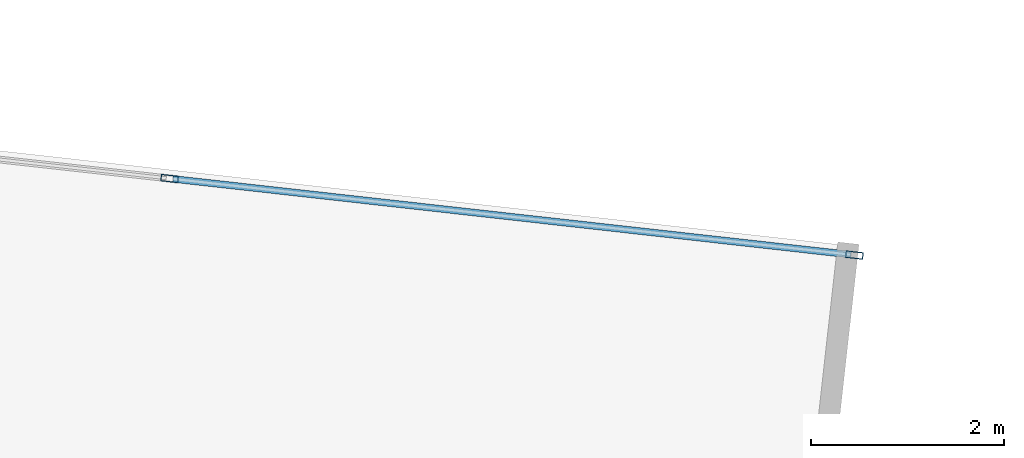
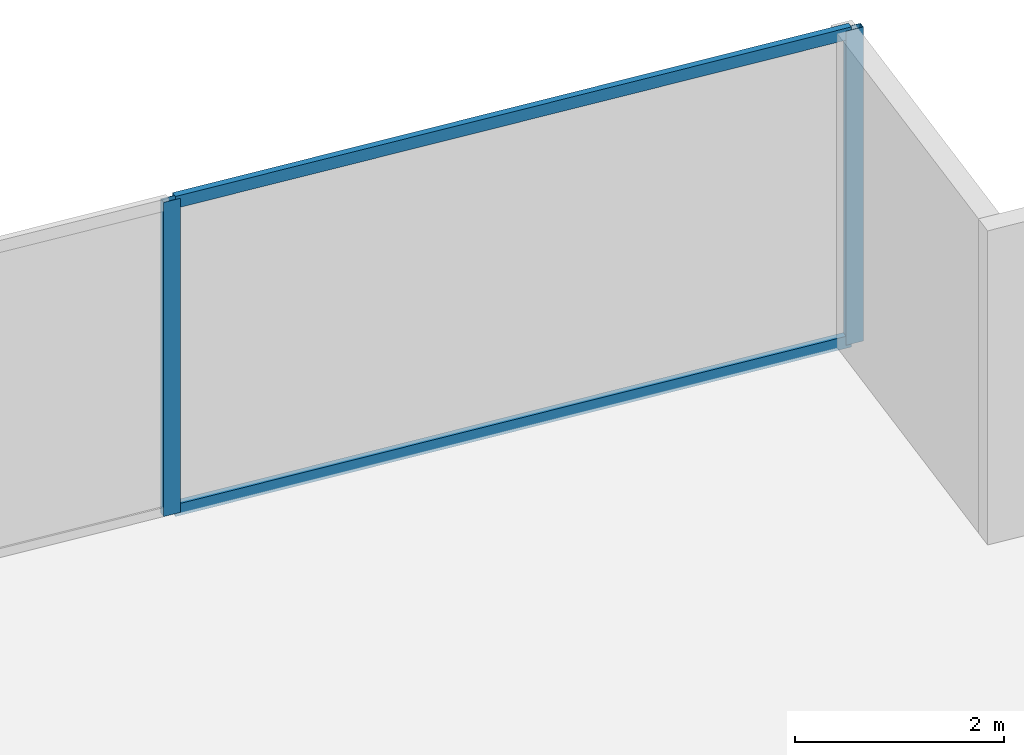
# One storey, part 23 of 28: 4 members, 1 element without a shape of its own.
"""IFC4 building model written with IfcOpenShell, lengths in metres."""

from ifc_helpers import new_model, si_unit, direction, frame, origin, origin_2d, place, context, subcontext, project, spatial, hollow_rectangle, extrude, source, transform, mapped, material, material_profile, profile_set, type_object, type_shapes, element, aggregate, save


model = new_model("IFC4")

# Units and contexts
model_context = context("Model", 3, precision=1e-05, world=origin(), true_north=direction((0.0, 1.0)))
body_context = subcontext(model_context, "Body", "Model", "MODEL_VIEW")
ifc_project = project(units=[si_unit("LENGTHUNIT", "METRE"), si_unit("AREAUNIT", "SQUARE_METRE"), si_unit("VOLUMEUNIT", "CUBIC_METRE"), si_unit("PLANEANGLEUNIT", "RADIAN"), si_unit("MASSUNIT", "GRAM", prefix="KILO")], contexts=[model_context])

# Site, building, storey
site_placement = place(None, origin())
site = spatial("IfcSite", under=ifc_project, at=site_placement, CompositionType="ELEMENT")
building_placement = place(site_placement, origin())
building = spatial("IfcBuilding", under=site, at=building_placement, Name="Krantzveldt Concourse Tower", CompositionType="ELEMENT")
storey_placement = place(building_placement, frame((0.0, 0.0, 64.5)))
storey = spatial("IfcBuildingStorey", under=building, at=storey_placement, Name="L15", CompositionType="ELEMENT", Elevation=64.5)

# Curtain wall, members
ifc_material = material(Name="Anodised aluminium 6063-T6", Category="aluminium")
curtain_wall_type = type_object("IfcCurtainWallType", Name="CW2", PredefinedType="USERDEFINED", material=ifc_material)
curtain_wall_placement = place(storey_placement, origin())
curtain_wall = element("IfcCurtainWall", 1, at=curtain_wall_placement, inside=storey, type_object=curtain_wall_type, Name="CW-L15-F10", ObjectType="UNITISED CURTAIN WALL", PredefinedType="USERDEFINED")
ifc_material_profile_1 = material_profile(ifc_material, hollow_rectangle(XDim=0.070068359375, YDim=0.179931640625, WallThickness=0.0048828125, at=origin_2d()), Name="Anodised aluminium 6063-T6", Category="aluminium")
ifc_profile_set_1 = profile_set([ifc_material_profile_1], Name="Anodised aluminium 6063-T6 - ALU-MULL 180x70x5")
member_type_1 = type_object("IfcMemberType", Name="CW-MUL-180", PredefinedType="MULLION", material=ifc_profile_set_1)
shared_shape_1 = source(origin(), body_context, "Body", "SweptSolid", [
    extrude(hollow_rectangle(XDim=0.070068359375, YDim=0.179931640625, WallThickness=0.0048828125, at=origin_2d()), origin(), (0.0, 0.0, 1.0), 3.669921875),
])
type_shapes(member_type_1, [shared_shape_1])
member_1_placement = place(storey_placement, frame((60.09814453125, 49.072509765625, 0.0), z_axis=(0.0, 0.0, 1.0), x_axis=(-0.111035342863, -0.993816458223, 0.0)))
member_1 = element("IfcMember", 2, at=member_1_placement, type_object=member_type_1, Name="CW-Z12 mullion 1", PredefinedType="MULLION", context=body_context, shape_type="MappedRepresentation", body=[
    mapped(shared_shape_1, transform((0.0, 0.0, 0.0), x_axis=(1.0, 0.0, 0.0), y_axis=(0.0, 1.0, 0.0), z_axis=(0.0, 0.0, 1.0), scale=1.0)),
])
member_2_placement = place(storey_placement, frame((53.010498046875, 49.864501953125, 0.0), z_axis=(0.0, 0.0, 1.0), x_axis=(-0.111035342863, -0.993816458223, 0.0)))
member_2 = element("IfcMember", 3, at=member_2_placement, type_object=member_type_1, Name="CW-Z12 mullion 2", PredefinedType="MULLION", context=body_context, shape_type="MappedRepresentation", body=[
    mapped(shared_shape_1, transform((0.0, 0.0, 0.0), x_axis=(1.0, 0.0, 0.0), y_axis=(0.0, 1.0, 0.0), z_axis=(0.0, 0.0, 1.0), scale=1.0)),
])
ifc_material_profile_2 = material_profile(ifc_material, hollow_rectangle(XDim=0.070068359375, YDim=0.139892578125, WallThickness=0.0048828125, at=origin_2d()), Name="Anodised aluminium 6063-T6", Category="aluminium")
ifc_profile_set_2 = profile_set([ifc_material_profile_2], Name="Anodised aluminium 6063-T6 - ALU-TRAN 140x70x5")
member_type_2 = type_object("IfcMemberType", Name="CW-TRN-150", PredefinedType="USERDEFINED", material=ifc_profile_set_2)
shared_shape_2 = source(origin(), body_context, "Body", "SweptSolid", [
    extrude(hollow_rectangle(XDim=0.070068359375, YDim=0.139892578125, WallThickness=0.0048828125, at=origin_2d()), origin(), (0.0, 0.0, 1.0), 7.061767578125),
])
type_shapes(member_type_2, [shared_shape_2])
member_3_placement = place(storey_placement, frame((60.0634765625, 49.076416015625, 0.034912109375), z_axis=(-0.993815243208, 0.111046217254, 0.0), x_axis=(-0.111046217254, -0.993815243208, 0.0)))
member_3 = element("IfcMember", 4, at=member_3_placement, type_object=member_type_2, Name="CW-Z12 transom 1.1", ObjectType="TRANSOM", PredefinedType="USERDEFINED", context=body_context, shape_type="MappedRepresentation", body=[
    mapped(shared_shape_2, transform((0.0, 0.0, 0.0), x_axis=(1.0, 0.0, 0.0), y_axis=(0.0, 1.0, 0.0), z_axis=(0.0, 0.0, 1.0), scale=1.0)),
])
member_4_placement = place(storey_placement, frame((60.0634765625, 49.076416015625, 3.635009765625), z_axis=(-0.993815243208, 0.111046217254, 0.0), x_axis=(-0.111046217254, -0.993815243208, 0.0)))
member_4 = element("IfcMember", 5, at=member_4_placement, type_object=member_type_2, Name="CW-Z12 transom 1.2", ObjectType="TRANSOM", PredefinedType="USERDEFINED", context=body_context, shape_type="MappedRepresentation", body=[
    mapped(shared_shape_2, transform((0.0, 0.0, 0.0), x_axis=(1.0, 0.0, 0.0), y_axis=(0.0, 1.0, 0.0), z_axis=(0.0, 0.0, 1.0), scale=1.0)),
])
aggregate(curtain_wall, [member_1, member_2, member_3, member_4])

save(model, "model.ifc")
